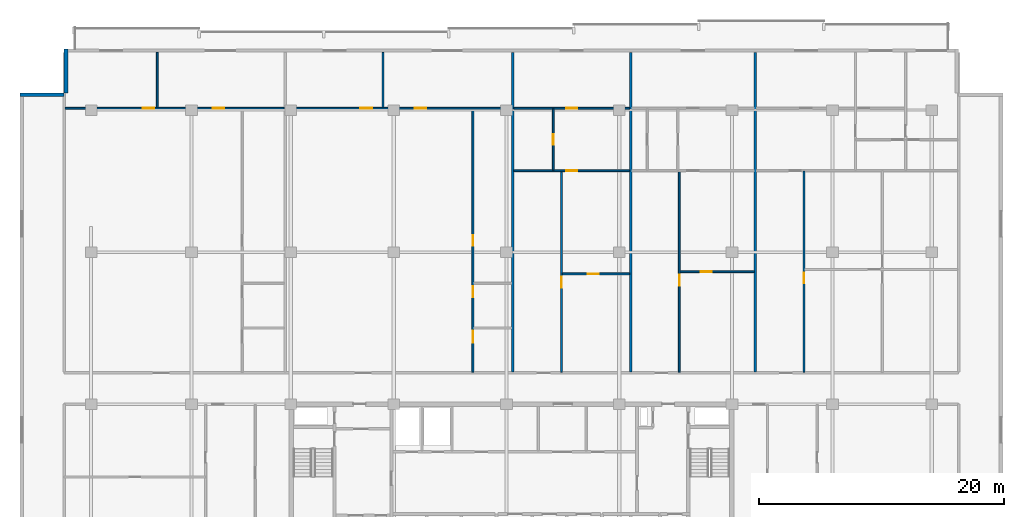
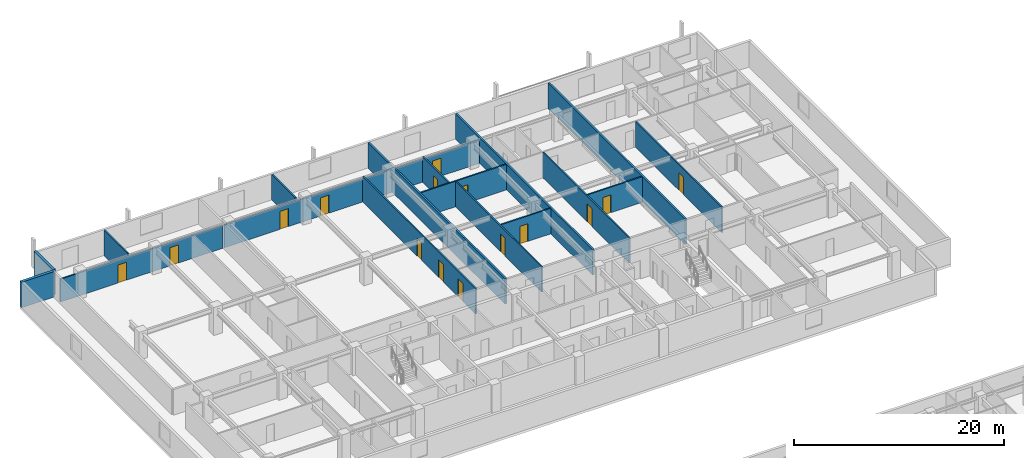
# One storey, part 13 of 21: 18 walls, 15 doors, 15 openings.
"""IFC4 building model written with IfcOpenShell, lengths in metres."""

from ifc_helpers import new_model, si_unit, direction, frame, frame_2d, origin, place, context, subcontext, project, spatial, rectangle, extrude, material, layer, layer_set, type_object, element, fill, save


model = new_model("IFC4")

# Units and contexts
model_context = context("Model", 3, precision=1e-05, world=origin(), true_north=direction((0.0, 1.0)))
body_context = subcontext(model_context, "Body", "Model", "MODEL_VIEW")
ifc_project = project(units=[si_unit("LENGTHUNIT", "METRE"), si_unit("AREAUNIT", "SQUARE_METRE"), si_unit("VOLUMEUNIT", "CUBIC_METRE"), si_unit("PLANEANGLEUNIT", "RADIAN"), si_unit("MASSUNIT", "GRAM", prefix="KILO")], contexts=[model_context])

# Site, building, storey
site_placement = place(None, origin())
site = spatial("IfcSite", under=ifc_project, at=site_placement, CompositionType="ELEMENT")
building_placement = place(site_placement, origin())
building = spatial("IfcBuilding", under=site, at=building_placement, Name="Korimba Cascade Residences", CompositionType="ELEMENT")
storey_placement = place(building_placement, frame((0.0, 0.0, 97.050048828125)))
storey = spatial("IfcBuildingStorey", under=building, at=storey_placement, Name="L27", CompositionType="ELEMENT", Elevation=97.050048828125)

# Walls
ifc_material_1 = material(Name="Precast concrete C40/50", Category="concrete")
ifc_layer_1 = layer(ifc_material_1, 0.300048828125)
ifc_layer_set_1 = layer_set([ifc_layer_1], Name="Precast concrete C40/50")
wall_type_1 = type_object("IfcWallType", Name="EW-STONE-300", PredefinedType="STANDARD", material=ifc_layer_set_1)
wall_1_placement = place(storey_placement, frame((57.75, 96.199951171875, 0.0), z_axis=(0.0, 0.0, 1.0), x_axis=(0.0, -1.0, 0.0)))
element("IfcWall", 1, at=wall_1_placement, inside=storey, type_object=wall_type_1, Name="L27 T1 Perimeter Stone Wall E07", PredefinedType="STANDARD", context=body_context, shape_type="SweptSolid", body=[
    extrude(rectangle(XDim=3.599853515625, YDim=0.300048828125, at=frame_2d((1.7998046875, 0.0))), origin(), (0.0, 0.0, 1.0), 2.969970703125),
])
wall_2_placement = place(storey_placement, frame((57.60009765625, 92.449951171875, 0.0), z_axis=(0.0, 0.0, 1.0), x_axis=(-1.0, 0.0, 0.0)))
element("IfcWall", 2, at=wall_2_placement, inside=storey, type_object=wall_type_1, Name="L27 T1 Perimeter Stone Wall E08", PredefinedType="STANDARD", context=body_context, shape_type="SweptSolid", body=[
    extrude(rectangle(XDim=3.60009765625, YDim=0.300048828125, at=frame_2d((1.800048828125, 0.0))), origin(), (0.0, 0.0, 1.0), 2.969970703125),
])
ifc_layer_2 = layer(ifc_material_1, 0.199951171875)
ifc_layer_set_2 = layer_set([ifc_layer_2], Name="Precast concrete C40/50")
wall_type_2 = type_object("IfcWallType", Name="WAL-IT-200", PredefinedType="PARTITIONING", material=ifc_layer_set_2)
for number, where, z_axis, x_axis, name in (
    (3, (94.22509765625, 69.830078125, 0.0), (0.0, 0.0, 1.0), (0.0, 1.0, 0.0), "L27 Partition Wall WAL-L27-T1-DEM-2"),
    (4, (103.833984375, 69.830078125, 0.0), (0.0, 0.0, 1.0), (0.0, 1.0, 0.0), "L27 Partition Wall WAL-L27-T1-DEM-3"),
    (5, (114.00390625, 69.830078125, 0.0), (0.0, 0.0, 1.0), (0.0, 1.0, 0.0), "L27 Partition Wall WAL-L27-T1-DEM-4"),
):
    element("IfcWall", number, at=place(storey_placement, frame(where, z_axis=z_axis, x_axis=x_axis)), inside=storey, type_object=wall_type_2, Name=name, PredefinedType="PARTITIONING", context=body_context, shape_type="SweptSolid", body=[
        extrude(rectangle(XDim=26.06982421875, YDim=0.199951171875, at=frame_2d((13.034912109375, 0.0))), origin(), (0.0, 0.0, 1.0), 2.969970703125),
    ])
ifc_material_2 = material(Name="Insulated Acoustic Stud Partition", Category="gypsum")
ifc_layer_3 = layer(ifc_material_2, 0.14990234375)
ifc_layer_set_3 = layer_set([ifc_layer_3], Name="Insulated Acoustic Stud Partition")
wall_type_3 = type_object("IfcWallType", Name="WAL-PART-150", PredefinedType="PARTITIONING", material=ifc_layer_set_3)
wall_3_placement = place(storey_placement, frame((65.196044921875, 91.429931640625, 0.0), z_axis=(0.0, 0.0, 1.0), x_axis=(0.0, 1.0, 0.0)))
element("IfcWall", 6, at=wall_3_placement, inside=storey, type_object=wall_type_3, Name="L27 Partition Wall WAL-L27-T1-U01-OUTV", PredefinedType="PARTITIONING", context=body_context, shape_type="SweptSolid", body=[
    extrude(rectangle(XDim=4.469970703125, YDim=0.14990234375, at=frame_2d((2.23486328125, 0.0))), origin(), (0.0, 0.0, 1.0), 2.969970703125),
])

# Wall, openings, doors
wall_4_placement = place(storey_placement, frame((57.679931640625, 91.35009765625, 0.0), z_axis=(0.0, 0.0, 1.0), x_axis=(1.0, 0.0, 0.0)))
wall_4 = element("IfcWall", 7, at=wall_4_placement, inside=storey, type_object=wall_type_3, Name="L27 Partition Wall WAL-L27-T1-U01-HZ", PredefinedType="PARTITIONING", context=body_context, shape_type="SweptSolid", body=[
    extrude(rectangle(XDim=17.8720703125, YDim=0.14990234375, at=frame_2d((8.93603515625, 0.0))), origin(), (0.0, 0.0, 1.0), 2.663330078125),
])
opening_1_placement = place(wall_4_placement, frame((6.325927734375, 0.0, 0.0)))
opening_1 = element("IfcOpeningElement", 8, at=opening_1_placement, cuts=wall_4, Name="Opening D-IN0", PredefinedType="OPENING", context=body_context, shape_type="SweptSolid", body=[
    extrude(rectangle(XDim=0.93994140625, YDim=2.10009765625, at=frame_2d((0.469970703125, 1.050048828125))), frame((0.0, 0.0849609375, 0.0), z_axis=(0.0, -1.0, 0.0), x_axis=(1.0, 0.0, 0.0)), (0.0, 0.0, 1.0), 0.169921875),
])
opening_2_placement = place(wall_4_placement, frame((12.052978515625, 0.0, 0.0)))
opening_2 = element("IfcOpeningElement", 9, at=opening_2_placement, cuts=wall_4, Name="Opening D-IN0", PredefinedType="OPENING", context=body_context, shape_type="SweptSolid", body=[
    extrude(rectangle(XDim=0.93994140625, YDim=2.10009765625, at=frame_2d((0.469970703125, 1.050048828125))), frame((0.0, 0.0849609375, 0.0), z_axis=(0.0, -1.0, 0.0), x_axis=(1.0, 0.0, 0.0)), (0.0, 0.0, 1.0), 0.169921875),
])
ifc_material_3 = material(Name="Acoustic Timber Living Archway Door", Category="wood")
door_type_1 = type_object("IfcDoorType", Name="DR-INT-950", OperationType="NOTDEFINED", PredefinedType="DOOR", material=ifc_material_3)
door_1_placement = place(opening_1_placement, origin())
door_1 = element("IfcDoor", 10, at=door_1_placement, inside=storey, type_object=door_type_1, Name="L27-T1-U01 Resident Boardroom Door", OperationType="SINGLE_SWING_LEFT", OverallHeight=2.10009765625, OverallWidth=0.93994140625, PredefinedType="DOOR", context=body_context, shape_type="SweptSolid", body=[
    extrude(rectangle(XDim=0.93994140625, YDim=2.10009765625, at=frame_2d((0.469970703125, 1.050048828125))), frame((0.0, 0.02490234375, 0.0), z_axis=(0.0, -1.0, 0.0), x_axis=(1.0, 0.0, 0.0)), (0.0, 0.0, 1.0), 0.050048828125),
])
fill(opening_1, door_1)
door_2_placement = place(opening_2_placement, origin())
door_2 = element("IfcDoor", 11, at=door_2_placement, inside=storey, type_object=door_type_1, Name="L27-T1-U01 Executive Seminar Room Door", OperationType="SINGLE_SWING_RIGHT", OverallHeight=2.10009765625, OverallWidth=0.93994140625, PredefinedType="DOOR", context=body_context, shape_type="SweptSolid", body=[
    extrude(rectangle(XDim=0.93994140625, YDim=2.10009765625, at=frame_2d((0.469970703125, 1.050048828125))), frame((0.0, 0.02490234375, 0.0), z_axis=(0.0, -1.0, 0.0), x_axis=(1.0, 0.0, 0.0)), (0.0, 0.0, 1.0), 0.050048828125),
])
fill(opening_2, door_2)

wall_5_placement = place(storey_placement, frame((90.955078125, 69.81005859375, 0.0), z_axis=(0.0, 0.0, 1.0), x_axis=(0.0, 1.0, 0.0)))
wall_5 = element("IfcWall", 12, at=wall_5_placement, inside=storey, type_object=wall_type_3, Name="L27 Partition Wall WAL-L27-T1-U02-WCV", PredefinedType="PARTITIONING", context=body_context, shape_type="SweptSolid", body=[
    extrude(rectangle(XDim=21.47998046875, YDim=0.14990234375, at=frame_2d((10.739990234375, 0.0))), origin(), (0.0, 0.0, 1.0), 2.969970703125),
])
opening_3_placement = place(wall_5_placement, frame((2.406005859375, 0.0, 0.0)))
opening_3 = element("IfcOpeningElement", 13, at=opening_3_placement, cuts=wall_5, Name="Opening D-AC1", PredefinedType="OPENING", context=body_context, shape_type="SweptSolid", body=[
    extrude(rectangle(XDim=0.9599609375, YDim=2.10009765625, at=frame_2d((0.47998046875, 1.050048828125))), frame((0.0, 0.0849609375, 0.0), z_axis=(0.0, -1.0, 0.0), x_axis=(1.0, 0.0, 0.0)), (0.0, 0.0, 1.0), 0.169921875),
])
opening_4_placement = place(wall_5_placement, frame((6.132568359375, 0.0, 0.0)))
opening_4 = element("IfcOpeningElement", 14, at=opening_4_placement, cuts=wall_5, Name="Opening D-IN2", PredefinedType="OPENING", context=body_context, shape_type="SweptSolid", body=[
    extrude(rectangle(XDim=0.8798828125, YDim=2.06005859375, at=frame_2d((0.43994140625, 1.030029296875))), frame((0.0, 0.0849609375, 0.0), z_axis=(0.0, -1.0, 0.0), x_axis=(1.0, 0.0, 0.0)), (0.0, 0.0, 1.0), 0.169921875),
])
opening_5_placement = place(wall_5_placement, frame((10.320068359375, 0.0, 0.0)))
opening_5 = element("IfcOpeningElement", 15, at=opening_5_placement, cuts=wall_5, Name="Opening D-BT1", PredefinedType="OPENING", context=body_context, shape_type="SweptSolid", body=[
    extrude(rectangle(XDim=0.840087890625, YDim=2.0400390625, at=frame_2d((0.419921875, 1.02001953125))), frame((0.0, 0.0849609375, 0.0), z_axis=(0.0, -1.0, 0.0), x_axis=(1.0, 0.0, 0.0)), (0.0, 0.0, 1.0), 0.169921875),
])
ifc_material_4 = material(Name="Accessible Acoustic Timber WC Door", Category="wood")
door_type_2 = type_object("IfcDoorType", Name="DR-ACC-950", OperationType="NOTDEFINED", PredefinedType="DOOR", material=ifc_material_4)
door_3_placement = place(opening_3_placement, origin())
door_3 = element("IfcDoor", 16, at=door_3_placement, inside=storey, type_object=door_type_2, Name="L27-T1-U02 Accessible WC Door", OperationType="SINGLE_SWING_LEFT", OverallHeight=2.10009765625, OverallWidth=0.9599609375, PredefinedType="DOOR", context=body_context, shape_type="SweptSolid", body=[
    extrude(rectangle(XDim=0.9599609375, YDim=2.10009765625, at=frame_2d((0.47998046875, 1.050048828125))), frame((0.0, 0.02490234375, 0.0), z_axis=(0.0, -1.0, 0.0), x_axis=(1.0, 0.0, 0.0)), (0.0, 0.0, 1.0), 0.050048828125),
])
fill(opening_3, door_3)
ifc_material_5 = material(Name="Moisture-Resistant Bathroom Timber Door", Category="wood")
door_type_3 = type_object("IfcDoorType", Name="DR-INT-850", OperationType="NOTDEFINED", PredefinedType="DOOR", material=ifc_material_5)
door_4_placement = place(opening_5_placement, origin())
door_4 = element("IfcDoor", 17, at=door_4_placement, inside=storey, type_object=door_type_3, Name="L27-T1-U02 Suite Store Door", OperationType="SINGLE_SWING_LEFT", OverallHeight=2.0400390625, OverallWidth=0.840087890625, PredefinedType="DOOR", context=body_context, shape_type="SweptSolid", body=[
    extrude(rectangle(XDim=0.840087890625, YDim=2.0400390625, at=frame_2d((0.419921875, 1.02001953125))), frame((0.0, 0.02490234375, 0.0), z_axis=(0.0, -1.0, 0.0), x_axis=(1.0, 0.0, 0.0)), (0.0, 0.0, 1.0), 0.050048828125),
])
fill(opening_5, door_4)
ifc_material_6 = material(Name="Acoustic Timber Bedroom Door", Category="wood")
door_type_4 = type_object("IfcDoorType", Name="DR-INT-880", OperationType="NOTDEFINED", PredefinedType="DOOR", material=ifc_material_6)
door_5_placement = place(opening_4_placement, origin())
door_5 = element("IfcDoor", 18, at=door_5_placement, inside=storey, type_object=door_type_4, Name="L27-T1-U02 Restroom WC Door", OperationType="SINGLE_SWING_RIGHT", OverallHeight=2.06005859375, OverallWidth=0.8798828125, PredefinedType="DOOR", context=body_context, shape_type="SweptSolid", body=[
    extrude(rectangle(XDim=0.8798828125, YDim=2.06005859375, at=frame_2d((0.43994140625, 1.030029296875))), frame((0.0, 0.02490234375, 0.0), z_axis=(0.0, -1.0, 0.0), x_axis=(1.0, 0.0, 0.0)), (0.0, 0.0, 1.0), 0.050048828125),
])
fill(opening_4, door_5)

# Wall
wall_6_placement = place(storey_placement, frame((83.62353515625, 91.429931640625, 0.0), z_axis=(0.0, 0.0, 1.0), x_axis=(0.0, 1.0, 0.0)))
element("IfcWall", 19, at=wall_6_placement, inside=storey, type_object=wall_type_3, Name="L27 Partition Wall WAL-L27-T1-U02-OUTV", PredefinedType="PARTITIONING", context=body_context, shape_type="SweptSolid", body=[
    extrude(rectangle(XDim=4.469970703125, YDim=0.14990234375, at=frame_2d((2.23486328125, 0.0))), origin(), (0.0, 0.0, 1.0), 2.969970703125),
])

# Wall, openings, doors
wall_7_placement = place(storey_placement, frame((75.712158203125, 91.35009765625, 0.0), z_axis=(0.0, 0.0, 1.0), x_axis=(1.0, 0.0, 0.0)))
wall_7 = element("IfcWall", 20, at=wall_7_placement, inside=storey, type_object=wall_type_3, Name="L27 Partition Wall WAL-L27-T1-U02-HZ", PredefinedType="PARTITIONING", context=body_context, shape_type="SweptSolid", body=[
    extrude(rectangle(XDim=18.432861328125, YDim=0.14990234375, at=frame_2d((9.21630859375, 0.0))), origin(), (0.0, 0.0, 1.0), 2.663330078125),
])
opening_6_placement = place(wall_7_placement, frame((6.07421875, 0.0, 0.0)))
opening_6 = element("IfcOpeningElement", 21, at=opening_6_placement, cuts=wall_7, Name="Opening D-IN0", PredefinedType="OPENING", context=body_context, shape_type="SweptSolid", body=[
    extrude(rectangle(XDim=0.93994140625, YDim=2.10009765625, at=frame_2d((0.469970703125, 1.050048828125))), frame((0.0, 0.0849609375, 0.0), z_axis=(0.0, -1.0, 0.0), x_axis=(1.0, 0.0, 0.0)), (0.0, 0.0, 1.0), 0.169921875),
])
opening_7_placement = place(wall_7_placement, frame((10.51806640625, 0.0, 0.0)))
opening_7 = element("IfcOpeningElement", 22, at=opening_7_placement, cuts=wall_7, Name="Opening D-IN0", PredefinedType="OPENING", context=body_context, shape_type="SweptSolid", body=[
    extrude(rectangle(XDim=0.93994140625, YDim=2.10009765625, at=frame_2d((0.469970703125, 1.050048828125))), frame((0.0, 0.0849609375, 0.0), z_axis=(0.0, -1.0, 0.0), x_axis=(1.0, 0.0, 0.0)), (0.0, 0.0, 1.0), 0.169921875),
])
door_6_placement = place(opening_6_placement, origin())
door_6 = element("IfcDoor", 23, at=door_6_placement, inside=storey, type_object=door_type_1, Name="L27-T1-U02 Resident Boardroom Door", OperationType="SINGLE_SWING_RIGHT", OverallHeight=2.10009765625, OverallWidth=0.93994140625, PredefinedType="DOOR", context=body_context, shape_type="SweptSolid", body=[
    extrude(rectangle(XDim=0.93994140625, YDim=2.10009765625, at=frame_2d((0.469970703125, 1.050048828125))), frame((0.0, 0.02490234375, 0.0), z_axis=(0.0, -1.0, 0.0), x_axis=(1.0, 0.0, 0.0)), (0.0, 0.0, 1.0), 0.050048828125),
])
fill(opening_6, door_6)
door_7_placement = place(opening_7_placement, origin())
door_7 = element("IfcDoor", 24, at=door_7_placement, inside=storey, type_object=door_type_1, Name="L27-T1-U02 Executive Seminar Room Door", OperationType="SINGLE_SWING_LEFT", OverallHeight=2.10009765625, OverallWidth=0.93994140625, PredefinedType="DOOR", context=body_context, shape_type="SweptSolid", body=[
    extrude(rectangle(XDim=0.93994140625, YDim=2.10009765625, at=frame_2d((0.469970703125, 1.050048828125))), frame((0.0, 0.02490234375, 0.0), z_axis=(0.0, -1.0, 0.0), x_axis=(1.0, 0.0, 0.0)), (0.0, 0.0, 1.0), 0.050048828125),
])
fill(opening_7, door_7)

# Wall, opening, door
wall_8_placement = place(storey_placement, frame((98.2548828125, 77.830078125, 0.0), z_axis=(0.0, 0.0, 1.0), x_axis=(1.0, 0.0, 0.0)))
wall_8 = element("IfcWall", 25, at=wall_8_placement, inside=storey, type_object=wall_type_3, Name="L27 Partition Wall WAL-L27-T1-U03-FMH", PredefinedType="PARTITIONING", context=body_context, shape_type="SweptSolid", body=[
    extrude(rectangle(XDim=5.4990234375, YDim=0.14990234375, at=frame_2d((2.74951171875, 0.0))), origin(), (0.0, 0.0, 1.0), 2.969970703125),
])
opening_8_placement = place(wall_8_placement, frame((2.074462890625, 0.0, 0.0)))
opening_8 = element("IfcOpeningElement", 26, at=opening_8_placement, cuts=wall_8, Name="Opening D-IN2", PredefinedType="OPENING", context=body_context, shape_type="SweptSolid", body=[
    extrude(rectangle(XDim=0.8798828125, YDim=2.06005859375, at=frame_2d((0.43994140625, 1.030029296875))), frame((0.0, 0.0849609375, 0.0), z_axis=(0.0, -1.0, 0.0), x_axis=(1.0, 0.0, 0.0)), (0.0, 0.0, 1.0), 0.169921875),
])
door_8_placement = place(opening_8_placement, origin())
door_8 = element("IfcDoor", 27, at=door_8_placement, inside=storey, type_object=door_type_4, Name="L27-T1-U03 Library Salon Door", OperationType="SINGLE_SWING_RIGHT", OverallHeight=2.06005859375, OverallWidth=0.8798828125, PredefinedType="DOOR", context=body_context, shape_type="SweptSolid", body=[
    extrude(rectangle(XDim=0.8798828125, YDim=2.06005859375, at=frame_2d((0.43994140625, 1.030029296875))), frame((0.0, 0.02490234375, 0.0), z_axis=(0.0, -1.0, 0.0), x_axis=(1.0, 0.0, 0.0)), (0.0, 0.0, 1.0), 0.050048828125),
])
fill(opening_8, door_8)

wall_9_placement = place(storey_placement, frame((98.195068359375, 69.81005859375, 0.0), z_axis=(0.0, 0.0, 1.0), x_axis=(0.0, 1.0, 0.0)))
wall_9 = element("IfcWall", 28, at=wall_9_placement, inside=storey, type_object=wall_type_3, Name="L27 Partition Wall WAL-L27-T1-U03-FV", PredefinedType="PARTITIONING", context=body_context, shape_type="SweptSolid", body=[
    extrude(rectangle(XDim=16.39990234375, YDim=0.14990234375, at=frame_2d((8.199951171875, 0.0))), origin(), (0.0, 0.0, 1.0), 2.969970703125),
])
opening_9_placement = place(wall_9_placement, frame((6.889892578125, 0.0, 0.0)))
opening_9 = element("IfcOpeningElement", 29, at=opening_9_placement, cuts=wall_9, Name="Opening D-IN2", PredefinedType="OPENING", context=body_context, shape_type="SweptSolid", body=[
    extrude(rectangle(XDim=0.8798828125, YDim=2.06005859375, at=frame_2d((0.43994140625, 1.030029296875))), frame((0.0, 0.0849609375, 0.0), z_axis=(0.0, -1.0, 0.0), x_axis=(1.0, 0.0, 0.0)), (0.0, 0.0, 1.0), 0.169921875),
])
door_9_placement = place(opening_9_placement, origin())
door_9 = element("IfcDoor", 30, at=door_9_placement, inside=storey, type_object=door_type_4, Name="L27-T1-U03 Media Lounge Door", OperationType="SINGLE_SWING_LEFT", OverallHeight=2.06005859375, OverallWidth=0.8798828125, PredefinedType="DOOR", context=body_context, shape_type="SweptSolid", body=[
    extrude(rectangle(XDim=0.8798828125, YDim=2.06005859375, at=frame_2d((0.43994140625, 1.030029296875))), frame((0.0, 0.02490234375, 0.0), z_axis=(0.0, -1.0, 0.0), x_axis=(1.0, 0.0, 0.0)), (0.0, 0.0, 1.0), 0.050048828125),
])
fill(opening_9, door_9)

wall_10_placement = place(storey_placement, frame((97.513916015625, 86.2900390625, 0.0), z_axis=(0.0, 0.0, 1.0), x_axis=(0.0, 1.0, 0.0)))
wall_10 = element("IfcWall", 31, at=wall_10_placement, inside=storey, type_object=wall_type_3, Name="L27 Partition Wall WAL-L27-T1-U03-BM", PredefinedType="PARTITIONING", context=body_context, shape_type="SweptSolid", body=[
    extrude(rectangle(XDim=5.0, YDim=0.14990234375, at=frame_2d((2.5, 0.0))), origin(), (0.0, 0.0, 1.0), 2.969970703125),
])
opening_10_placement = place(wall_10_placement, frame((2.080078125, 0.0, 0.0)))
opening_10 = element("IfcOpeningElement", 32, at=opening_10_placement, cuts=wall_10, Name="Opening D-BT1", PredefinedType="OPENING", context=body_context, shape_type="SweptSolid", body=[
    extrude(rectangle(XDim=0.840087890625, YDim=2.0400390625, at=frame_2d((0.419921875, 1.02001953125))), frame((0.0, 0.0849609375, 0.0), z_axis=(0.0, -1.0, 0.0), x_axis=(1.0, 0.0, 0.0)), (0.0, 0.0, 1.0), 0.169921875),
])
door_10_placement = place(opening_10_placement, origin())
door_10 = element("IfcDoor", 33, at=door_10_placement, inside=storey, type_object=door_type_3, Name="L27-T1-U03 Bathroom Door", OperationType="SINGLE_SWING_RIGHT", OverallHeight=2.0400390625, OverallWidth=0.840087890625, PredefinedType="DOOR", context=body_context, shape_type="SweptSolid", body=[
    extrude(rectangle(XDim=0.840087890625, YDim=2.0400390625, at=frame_2d((0.419921875, 1.02001953125))), frame((0.0, 0.02490234375, 0.0), z_axis=(0.0, -1.0, 0.0), x_axis=(1.0, 0.0, 0.0)), (0.0, 0.0, 1.0), 0.050048828125),
])
fill(opening_10, door_10)

wall_11_placement = place(storey_placement, frame((94.304931640625, 86.25, 0.0), z_axis=(0.0, 0.0, 1.0), x_axis=(1.0, 0.0, 0.0)))
wall_11 = element("IfcWall", 34, at=wall_11_placement, inside=storey, type_object=wall_type_3, Name="L27 Partition Wall WAL-L27-T1-U03-MW", PredefinedType="PARTITIONING", context=body_context, shape_type="SweptSolid", body=[
    extrude(rectangle(XDim=9.448974609375, YDim=0.14990234375, at=frame_2d((4.724609375, 0.0))), origin(), (0.0, 0.0, 1.0), 2.969970703125),
])
opening_11_placement = place(wall_11_placement, frame((4.264404296875, 0.0, 0.0)))
opening_11 = element("IfcOpeningElement", 35, at=opening_11_placement, cuts=wall_11, Name="Opening D-IN1", PredefinedType="OPENING", context=body_context, shape_type="SweptSolid", body=[
    extrude(rectangle(XDim=0.919921875, YDim=2.080078125, at=frame_2d((0.4599609375, 1.0400390625))), frame((0.0, 0.0849609375, 0.0), z_axis=(0.0, -1.0, 0.0), x_axis=(1.0, 0.0, 0.0)), (0.0, 0.0, 1.0), 0.169921875),
])
ifc_material_7 = material(Name="Acoustic Timber Living Door", Category="wood")
door_type_5 = type_object("IfcDoorType", Name="DR-INT-920", OperationType="NOTDEFINED", PredefinedType="DOOR", material=ifc_material_7)
door_11_placement = place(opening_11_placement, origin())
door_11 = element("IfcDoor", 36, at=door_11_placement, inside=storey, type_object=door_type_5, Name="L27-T1-U03 Studio Kitchen Door", OperationType="SINGLE_SWING_LEFT", OverallHeight=2.080078125, OverallWidth=0.919921875, PredefinedType="DOOR", context=body_context, shape_type="SweptSolid", body=[
    extrude(rectangle(XDim=0.919921875, YDim=2.080078125, at=frame_2d((0.4599609375, 1.0400390625))), frame((0.0, 0.02490234375, 0.0), z_axis=(0.0, -1.0, 0.0), x_axis=(1.0, 0.0, 0.0)), (0.0, 0.0, 1.0), 0.050048828125),
])
fill(opening_11, door_11)

wall_12_placement = place(storey_placement, frame((94.304931640625, 91.35009765625, 0.0), z_axis=(0.0, 0.0, 1.0), x_axis=(1.0, 0.0, 0.0)))
wall_12 = element("IfcWall", 37, at=wall_12_placement, inside=storey, type_object=wall_type_3, Name="L27 Partition Wall WAL-L27-T1-U03-HZ", PredefinedType="PARTITIONING", context=body_context, shape_type="SweptSolid", body=[
    extrude(rectangle(XDim=9.448974609375, YDim=0.14990234375, at=frame_2d((4.724609375, 0.0))), origin(), (0.0, 0.0, 1.0), 2.663330078125),
])
opening_12_placement = place(wall_12_placement, frame((4.264404296875, 0.0, 0.0)))
opening_12 = element("IfcOpeningElement", 38, at=opening_12_placement, cuts=wall_12, Name="Opening D-IN1", PredefinedType="OPENING", context=body_context, shape_type="SweptSolid", body=[
    extrude(rectangle(XDim=0.919921875, YDim=2.080078125, at=frame_2d((0.4599609375, 1.0400390625))), frame((0.0, 0.0849609375, 0.0), z_axis=(0.0, -1.0, 0.0), x_axis=(1.0, 0.0, 0.0)), (0.0, 0.0, 1.0), 0.169921875),
])
door_12_placement = place(opening_12_placement, origin())
door_12 = element("IfcDoor", 39, at=door_12_placement, inside=storey, type_object=door_type_5, Name="L27-T1-U03 Studio Door", OperationType="SINGLE_SWING_RIGHT", OverallHeight=2.080078125, OverallWidth=0.919921875, PredefinedType="DOOR", context=body_context, shape_type="SweptSolid", body=[
    extrude(rectangle(XDim=0.919921875, YDim=2.080078125, at=frame_2d((0.4599609375, 1.0400390625))), frame((0.0, 0.02490234375, 0.0), z_axis=(0.0, -1.0, 0.0), x_axis=(1.0, 0.0, 0.0)), (0.0, 0.0, 1.0), 0.050048828125),
])
fill(opening_12, door_12)

wall_13_placement = place(storey_placement, frame((107.864013671875, 78.010009765625, 0.0), z_axis=(0.0, 0.0, 1.0), x_axis=(1.0, 0.0, 0.0)))
wall_13 = element("IfcWall", 40, at=wall_13_placement, inside=storey, type_object=wall_type_3, Name="L27 Partition Wall WAL-L27-T1-U04-FMH", PredefinedType="PARTITIONING", context=body_context, shape_type="SweptSolid", body=[
    extrude(rectangle(XDim=6.059814453125, YDim=0.14990234375, at=frame_2d((3.02978515625, 0.0))), origin(), (0.0, 0.0, 1.0), 2.969970703125),
])
opening_13_placement = place(wall_13_placement, frame((1.694091796875, 0.0, 0.0)))
opening_13 = element("IfcOpeningElement", 41, at=opening_13_placement, cuts=wall_13, Name="Opening D-IN2", PredefinedType="OPENING", context=body_context, shape_type="SweptSolid", body=[
    extrude(rectangle(XDim=0.8798828125, YDim=2.06005859375, at=frame_2d((0.43994140625, 1.030029296875))), frame((0.0, 0.0849609375, 0.0), z_axis=(0.0, -1.0, 0.0), x_axis=(1.0, 0.0, 0.0)), (0.0, 0.0, 1.0), 0.169921875),
])
door_13_placement = place(opening_13_placement, origin())
door_13 = element("IfcDoor", 42, at=door_13_placement, inside=storey, type_object=door_type_4, Name="L27-T1-U04 Library Salon Door", OperationType="SINGLE_SWING_LEFT", OverallHeight=2.06005859375, OverallWidth=0.8798828125, PredefinedType="DOOR", context=body_context, shape_type="SweptSolid", body=[
    extrude(rectangle(XDim=0.8798828125, YDim=2.06005859375, at=frame_2d((0.43994140625, 1.030029296875))), frame((0.0, 0.02490234375, 0.0), z_axis=(0.0, -1.0, 0.0), x_axis=(1.0, 0.0, 0.0)), (0.0, 0.0, 1.0), 0.050048828125),
])
fill(opening_13, door_13)

wall_14_placement = place(storey_placement, frame((107.803955078125, 69.81005859375, 0.0), z_axis=(0.0, 0.0, 1.0), x_axis=(0.0, 1.0, 0.0)))
wall_14 = element("IfcWall", 43, at=wall_14_placement, inside=storey, type_object=wall_type_3, Name="L27 Partition Wall WAL-L27-T1-U04-FV", PredefinedType="PARTITIONING", context=body_context, shape_type="SweptSolid", body=[
    extrude(rectangle(XDim=16.39990234375, YDim=0.14990234375, at=frame_2d((8.199951171875, 0.0))), origin(), (0.0, 0.0, 1.0), 2.969970703125),
])
opening_14_placement = place(wall_14_placement, frame((7.070068359375, 0.0, 0.0)))
opening_14 = element("IfcOpeningElement", 44, at=opening_14_placement, cuts=wall_14, Name="Opening D-IN2", PredefinedType="OPENING", context=body_context, shape_type="SweptSolid", body=[
    extrude(rectangle(XDim=0.8798828125, YDim=2.06005859375, at=frame_2d((0.43994140625, 1.030029296875))), frame((0.0, 0.0849609375, 0.0), z_axis=(0.0, -1.0, 0.0), x_axis=(1.0, 0.0, 0.0)), (0.0, 0.0, 1.0), 0.169921875),
])
door_14_placement = place(opening_14_placement, origin())
door_14 = element("IfcDoor", 45, at=door_14_placement, inside=storey, type_object=door_type_4, Name="L27-T1-U04 Media Lounge Door", OperationType="SINGLE_SWING_RIGHT", OverallHeight=2.06005859375, OverallWidth=0.8798828125, PredefinedType="DOOR", context=body_context, shape_type="SweptSolid", body=[
    extrude(rectangle(XDim=0.8798828125, YDim=2.06005859375, at=frame_2d((0.43994140625, 1.030029296875))), frame((0.0, 0.02490234375, 0.0), z_axis=(0.0, -1.0, 0.0), x_axis=(1.0, 0.0, 0.0)), (0.0, 0.0, 1.0), 0.050048828125),
])
fill(opening_14, door_14)

wall_15_placement = place(storey_placement, frame((117.973876953125, 69.81005859375, 0.0), z_axis=(0.0, 0.0, 1.0), x_axis=(0.0, 1.0, 0.0)))
wall_15 = element("IfcWall", 46, at=wall_15_placement, inside=storey, type_object=wall_type_3, Name="L27 Partition Wall WAL-L27-T1-U05-FV", PredefinedType="PARTITIONING", context=body_context, shape_type="SweptSolid", body=[
    extrude(rectangle(XDim=16.39990234375, YDim=0.14990234375, at=frame_2d((8.199951171875, 0.0))), origin(), (0.0, 0.0, 1.0), 2.969970703125),
])
opening_15_placement = place(wall_15_placement, frame((7.25, 0.0, 0.0)))
opening_15 = element("IfcOpeningElement", 47, at=opening_15_placement, cuts=wall_15, Name="Opening D-IN2", PredefinedType="OPENING", context=body_context, shape_type="SweptSolid", body=[
    extrude(rectangle(XDim=0.8798828125, YDim=2.06005859375, at=frame_2d((0.43994140625, 1.030029296875))), frame((0.0, 0.0849609375, 0.0), z_axis=(0.0, -1.0, 0.0), x_axis=(1.0, 0.0, 0.0)), (0.0, 0.0, 1.0), 0.169921875),
])
door_15_placement = place(opening_15_placement, origin())
door_15 = element("IfcDoor", 48, at=door_15_placement, inside=storey, type_object=door_type_4, Name="L27-T1-U05 Media Lounge Door", OperationType="SINGLE_SWING_RIGHT", OverallHeight=2.06005859375, OverallWidth=0.8798828125, PredefinedType="DOOR", context=body_context, shape_type="SweptSolid", body=[
    extrude(rectangle(XDim=0.8798828125, YDim=2.06005859375, at=frame_2d((0.43994140625, 1.030029296875))), frame((0.0, 0.02490234375, 0.0), z_axis=(0.0, -1.0, 0.0), x_axis=(1.0, 0.0, 0.0)), (0.0, 0.0, 1.0), 0.050048828125),
])
fill(opening_15, door_15)

save(model, "model.ifc")
